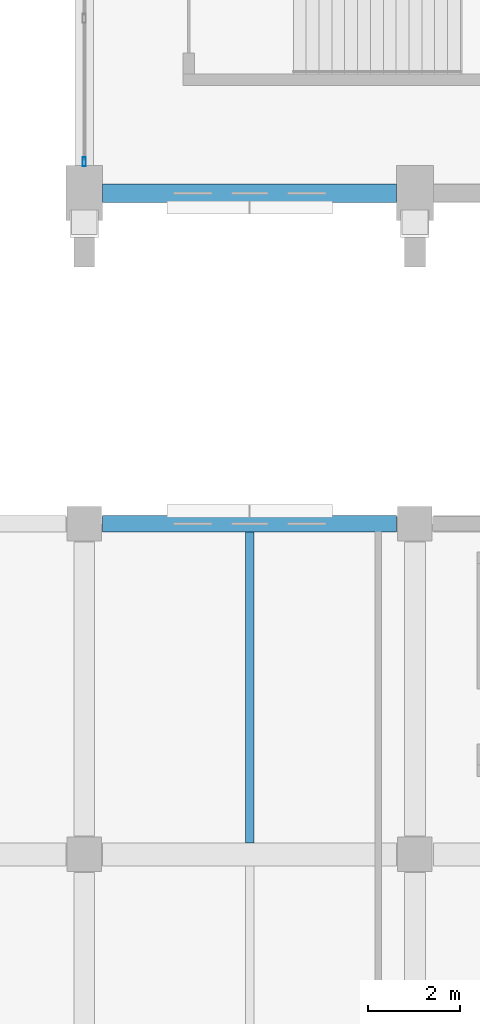
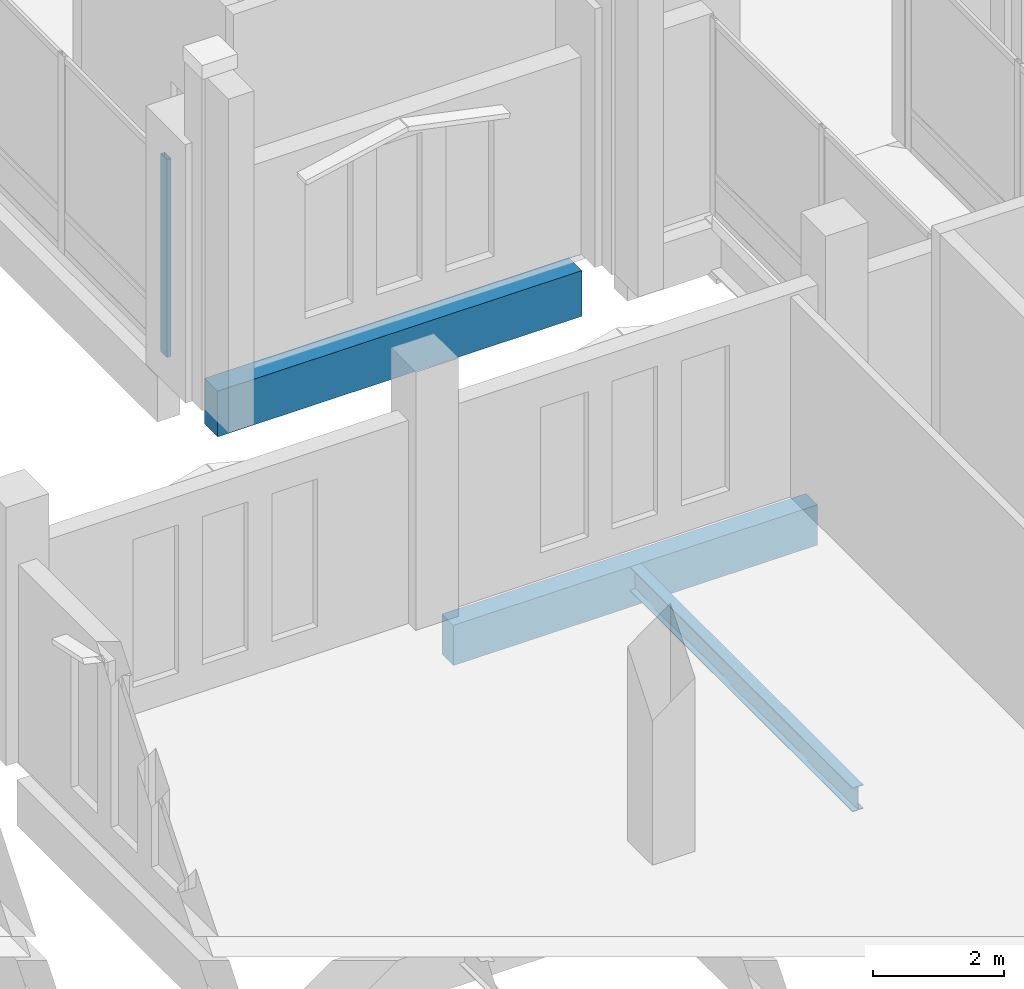
# One storey, part 63 of 193: 3 beams, 1 member, 1 element without a shape of its own.
"""IFC4 building model written with IfcOpenShell, lengths in metres."""

import ifcopenshell
import ifcopenshell.guid

model = None  # the IFC model being written
_history = None  # IfcOwnerHistory: only IFC2X3 demands one
_inside = {}  # id of a spatial element -> (the spatial element, [elements in it])
_under = {}  # id of a project, library or spatial element -> (it, [spatial elements below it])
_declared = {}  # id of a project -> (the project, [libraries it declares])
_typed = {}  # id of a type object -> (the type object, [elements of that type])
_made_of = {}  # id of a material, layer set ... -> (it, [elements and type objects made of it])


def new_model(schema):
    """Start an empty IFC model of exactly this schema.

    Asked for "IFC4X3", IfcOpenShell would pick the latest addendum, in which some entities
    have other attributes; the version numbers below select the first issue.
    IFC2X3 requires an IfcOwnerHistory on every rooted entity: one is made here for all.
    """
    global model, _history
    if schema == "IFC4X3":
        model = ifcopenshell.file(schema_version=(4, 3, 0, 0))
    else:
        model = ifcopenshell.file(schema=schema)
    _inside.clear()
    _under.clear()
    _declared.clear()
    _typed.clear()
    _made_of.clear()
    _history = None
    if model.schema == "IFC2X3":
        org = make("IfcOrganization", Name="unknown")
        user = make(
            "IfcPersonAndOrganization",
            ThePerson=make("IfcPerson", FamilyName="unknown"),
            TheOrganization=org,
        )
        app = make(
            "IfcApplication",
            ApplicationDeveloper=org,
            Version="unknown",
            ApplicationFullName="unknown",
            ApplicationIdentifier="unknown",
        )
        _history = make(
            "IfcOwnerHistory",
            OwningUser=user,
            OwningApplication=app,
            ChangeAction="ADDED",
            CreationDate=0,
        )
    return model


def make(cls, **values):
    """One entity of the class cls with the attributes given. An attribute that is None is left unset."""
    return model.create_entity(
        cls, **{name: value for name, value in values.items() if value is not None}
    )


def rooted(cls, **values):
    """An entity with a GlobalId (a new one), such as an element, a storey or a relation."""
    return make(cls, GlobalId=ifcopenshell.guid.new(), OwnerHistory=_history, **values)


def si_unit(unit_type, name, prefix=None):
    """IfcSIUnit, for example si_unit("LENGTHUNIT", "METRE", prefix="MILLI")."""
    return make("IfcSIUnit", UnitType=unit_type, Prefix=prefix, Name=name)


def assignment(units):
    """IfcUnitAssignment: the units of a project."""
    return None if units is None else make("IfcUnitAssignment", Units=units)


def point(xyz):
    """IfcCartesianPoint."""
    return None if xyz is None else make("IfcCartesianPoint", Coordinates=xyz)


def direction(xyz):
    """IfcDirection."""
    return None if xyz is None else make("IfcDirection", DirectionRatios=xyz)


def frame(location, z_axis=None, x_axis=None):
    """IfcAxis2Placement3D, a coordinate frame: its origin and axes. An axis left out is left unset."""
    return make(
        "IfcAxis2Placement3D",
        Location=point(location),
        Axis=direction(z_axis),
        RefDirection=direction(x_axis),
    )


def frame_2d(location, x_axis=None):
    """IfcAxis2Placement2D, a coordinate frame in the plane: its origin and x axis."""
    return make(
        "IfcAxis2Placement2D", Location=point(location), RefDirection=direction(x_axis)
    )


def origin():
    """The frame at (0, 0, 0) with its axes left unset."""
    return frame((0.0, 0.0, 0.0))


def origin_2d():
    """The frame at (0, 0) in the plane with its x axis left unset."""
    return frame_2d((0.0, 0.0))


def place(relative_to, where):
    """IfcLocalPlacement: puts the frame where relative to a parent placement (None: the world)."""
    return make(
        "IfcLocalPlacement", PlacementRelTo=relative_to, RelativePlacement=where
    )


def context(
    kind, dimensions, precision=None, world=None, true_north=None, identifier=None
):
    """IfcGeometricRepresentationContext, for example the 3D "Model" context."""
    return make(
        "IfcGeometricRepresentationContext",
        ContextIdentifier=identifier,
        ContextType=kind,
        CoordinateSpaceDimension=dimensions,
        Precision=precision,
        WorldCoordinateSystem=world,
        TrueNorth=true_north,
    )


def subcontext(parent, identifier, kind, view, scale=None):
    """IfcGeometricRepresentationSubContext, for example "Body" below "Model"."""
    return make(
        "IfcGeometricRepresentationSubContext",
        ContextIdentifier=identifier,
        ContextType=kind,
        ParentContext=parent,
        TargetScale=scale,
        TargetView=view,
    )


def project(units=None, contexts=None):
    """IfcProject with its units and contexts."""
    return rooted(
        "IfcProject",
        Name="project",
        RepresentationContexts=contexts,
        UnitsInContext=assignment(units),
    )


def spatial(cls, under=None, at=None, **own):
    """A site, building, storey or space (cls), placed at a placement, below another one or the project."""
    s = rooted(cls, ObjectPlacement=at, **own)
    if under is not None:
        _under.setdefault(under.id(), (under, []))[1].append(s)
    return s


def profile(cls, at=None, kind="AREA", **sizes):
    """A parametric profile (cls). Its sizes go by their IFC names, for example OverallWidth=200.0."""
    return make(cls, ProfileType=kind, Position=at, **sizes)


def rectangle(**sizes):
    """IfcRectangleProfileDef."""
    return profile("IfcRectangleProfileDef", **sizes)


def hollow_rectangle(**sizes):
    """IfcRectangleHollowProfileDef."""
    return profile("IfcRectangleHollowProfileDef", **sizes)


def i_section(**sizes):
    """IfcIShapeProfileDef."""
    return profile("IfcIShapeProfileDef", **sizes)


def extrude(swept, where, along, depth):
    """IfcExtrudedAreaSolid: the profile swept, set in the frame where, extruded along a direction by depth."""
    return make(
        "IfcExtrudedAreaSolid",
        SweptArea=swept,
        Position=where,
        ExtrudedDirection=direction(along),
        Depth=depth,
    )


def shape(context_of_items, identifier, shape_type, items):
    """IfcShapeRepresentation: the items that make up one representation, for example the "Body"."""
    return make(
        "IfcShapeRepresentation",
        ContextOfItems=context_of_items,
        RepresentationIdentifier=identifier,
        RepresentationType=shape_type,
        Items=items,
    )


def material(Name=None, Category=None):
    """IfcMaterial."""
    return make("IfcMaterial", Name=Name, Category=Category)


def material_profile(
    of_material, cross_section, Name=None, Category=None, Priority=None
):
    """IfcMaterialProfile: a cross section and its material."""
    return make(
        "IfcMaterialProfile",
        Name=Name,
        Material=of_material,
        Profile=cross_section,
        Priority=Priority,
        Category=Category,
    )


def profile_set(profiles, Name=None, composite=None):
    """IfcMaterialProfileSet."""
    return make(
        "IfcMaterialProfileSet",
        Name=Name,
        MaterialProfiles=profiles,
        CompositeProfile=composite,
    )


def made_of(thing, what):
    """Note that an element or type object is made of a material, layer set ...; save() writes the relation."""
    if what is not None:
        _made_of.setdefault(what.id(), (what, []))[1].append(thing)
    return thing


def type_object(cls, material=None, **own):
    """A type object (cls), such as IfcWallType, which elements share."""
    return made_of(rooted(cls, **own), material)


def element(
    cls,
    number,
    at=None,
    inside=None,
    cuts=None,
    type_object=None,
    material=None,
    context=None,
    identifier="Body",
    shape_type=None,
    held_by="IfcProductDefinitionShape",
    body=None,
    shapes=None,
    **own,
):
    """One element of the class cls, such as IfcWall. Its Tag is "e" and its number.

    at: its placement. inside: the storey or other place that contains it. cuts: it is an
    opening in that element (IfcRelVoidsElement). A single representation is given by context,
    identifier, shape_type and body (its items); several are given by shapes. held_by: the class
    of the entity that holds the representations. save() writes the other relations.
    """
    e = rooted(cls, Tag="e%d" % number, ObjectPlacement=at, **own)
    if body is not None:
        shapes = [shape(context, identifier, shape_type, body)]
    if shapes is not None:
        e.Representation = make(held_by, Representations=shapes)
    if inside is not None:
        _inside.setdefault(inside.id(), (inside, []))[1].append(e)
    if cuts is not None:
        rooted(
            "IfcRelVoidsElement", RelatingBuildingElement=cuts, RelatedOpeningElement=e
        )
    if type_object is not None:
        _typed.setdefault(type_object.id(), (type_object, []))[1].append(e)
    return made_of(e, material)


def aggregate(whole, parts):
    """IfcRelAggregates: a whole, such as a stair, and the parts it consists of."""
    return rooted("IfcRelAggregates", RelatingObject=whole, RelatedObjects=parts)


def save(model, path):
    """Write the relations noted so far, then the file.

    IfcRelAggregates (storeys below a building ...), IfcRelContainedInSpatialStructure (elements
    in a storey), IfcRelDefinesByType, IfcRelAssociatesMaterial and IfcRelDeclares: one each for
    every whole, place, type object, material and project.
    """
    for whole, parts in _under.values():
        aggregate(whole, parts)
    for where, things in _inside.values():
        rooted(
            "IfcRelContainedInSpatialStructure",
            RelatedElements=things,
            RelatingStructure=where,
        )
    for kind, things in _typed.values():
        rooted("IfcRelDefinesByType", RelatedObjects=things, RelatingType=kind)
    for what, things in _made_of.values():
        rooted("IfcRelAssociatesMaterial", RelatedObjects=things, RelatingMaterial=what)
    for by, libraries in _declared.values():
        rooted("IfcRelDeclares", RelatingContext=by, RelatedDefinitions=libraries)
    model.write(path)


model = new_model("IFC4")

# Units and contexts
model_context = context("Model", 3, precision=1e-05, world=origin(), true_north=direction((0.0, 1.0)))
body_context = subcontext(model_context, "Body", "Model", "MODEL_VIEW")
ifc_project = project(units=[si_unit("LENGTHUNIT", "METRE"), si_unit("AREAUNIT", "SQUARE_METRE"), si_unit("VOLUMEUNIT", "CUBIC_METRE"), si_unit("PLANEANGLEUNIT", "RADIAN"), si_unit("MASSUNIT", "GRAM", prefix="KILO")], contexts=[model_context])

# Site, building, storey
site_placement = place(None, origin())
site = spatial("IfcSite", under=ifc_project, at=site_placement, CompositionType="ELEMENT")
building_placement = place(site_placement, origin())
building = spatial("IfcBuilding", under=site, at=building_placement, Name="Cendralis Lancet Convention Centre", CompositionType="ELEMENT")
storey_placement = place(building_placement, frame((0.0, 0.0, 10.199951171875)))
storey = spatial("IfcBuildingStorey", under=building, at=storey_placement, Name="L02", CompositionType="ELEMENT", Elevation=10.199951171875)

# Curtain wall, member
ifc_material_1 = material(Name="Anodised bronze architectural aluminium", Category="aluminium")
curtain_wall_type = type_object("IfcCurtainWallType", Name="ARC-CW-PL02", PredefinedType="USERDEFINED", material=ifc_material_1)
curtain_wall_placement = place(storey_placement, origin())
curtain_wall = element("IfcCurtainWall", 1, at=curtain_wall_placement, inside=storey, type_object=curtain_wall_type, Name="L02 Curtain Wall CW-PL2 #126", ObjectType="CURTAIN WALL", PredefinedType="USERDEFINED")
ifc_material_profile_1 = material_profile(ifc_material_1, hollow_rectangle(XDim=0.070068359375, YDim=0.199951171875, WallThickness=0.0048828125, at=origin_2d()), Name="AL-MULL 70x200x5.0")
ifc_profile_set_1 = profile_set([ifc_material_profile_1], Name="Anodised bronze architectural aluminium")
member_type = type_object("IfcMemberType", Name="ARC-CW-ML02", PredefinedType="MULLION", material=ifc_profile_set_1)
member_placement = place(storey_placement, frame((139.199951171875, 43.885009765625, 0.0), z_axis=(0.0, 0.0, 1.0), x_axis=(1.0, 0.0, 0.0)))
member = element("IfcMember", 2, at=member_placement, type_object=member_type, Name="Mullion CW2-CW-PL2-L02-126-M0", PredefinedType="MULLION", context=body_context, shape_type="SweptSolid", body=[
    extrude(hollow_rectangle(XDim=0.070068359375, YDim=0.199951171875, WallThickness=0.0048828125, at=origin_2d()), origin(), (0.0, 0.0, 1.0), 3.675048828125),
])
aggregate(curtain_wall, [member])

# Beams
ifc_material_2 = material(Name="Steel S355", Category="steel")
ifc_material_profile_2 = material_profile(ifc_material_2, i_section(OverallWidth=0.18994140625, OverallDepth=0.449951171875, WebThickness=0.009521484375, FlangeThickness=0.0146484375, FilletRadius=0.02099609375, at=origin_2d()), Name="IPE 450")
ifc_profile_set_2 = profile_set([ifc_material_profile_2], Name="Steel S355")
beam_type_1 = type_object("IfcBeamType", Name="STR-JS-BJ07", PredefinedType="JOIST", material=ifc_profile_set_2)
beam_1_placement = place(storey_placement, frame((142.800048828125, 29.050048828125, -0.52490234375), z_axis=(0.0, 1.0, 0.0), x_axis=(-1.0, 0.0, 0.0)))
element("IfcBeam", 3, at=beam_1_placement, inside=storey, type_object=beam_type_1, Name="L02 Beam BJ07 #0352", PredefinedType="JOIST", context=body_context, shape_type="SweptSolid", body=[
    extrude(i_section(OverallWidth=0.18994140625, OverallDepth=0.449951171875, WebThickness=0.009521484375, FlangeThickness=0.0146484375, FilletRadius=0.02099609375, at=origin_2d()), origin(), (0.0, 0.0, 1.0), 6.77490234375),
])
ifc_material_3 = material(Name="Concrete G40 (C40/50)", Category="concrete")
ifc_material_profile_3 = material_profile(ifc_material_3, rectangle(XDim=0.35009765625, YDim=0.75, at=origin_2d()), Name="RCB 350x750")
ifc_profile_set_3 = profile_set([ifc_material_profile_3], Name="Concrete G40 (C40/50)")
beam_type_2 = type_object("IfcBeamType", Name="STR-SP-SP01", PredefinedType="SPANDREL", material=ifc_profile_set_3)
beam_2_placement = place(storey_placement, frame((139.60009765625, 36.0, -0.675048828125), z_axis=(1.0, 0.0, 0.0), x_axis=(0.0, 1.0, 0.0)))
element("IfcBeam", 4, at=beam_2_placement, inside=storey, type_object=beam_type_2, Name="L02 Beam SP01 #0294", PredefinedType="SPANDREL", context=body_context, shape_type="SweptSolid", body=[
    extrude(rectangle(XDim=0.35009765625, YDim=0.75, at=origin_2d()), origin(), (0.0, 0.0, 1.0), 6.39990234375),
])
ifc_material_profile_4 = material_profile(ifc_material_3, rectangle(XDim=0.39990234375, YDim=0.85009765625, at=origin_2d()), Name="RCB 400x850")
ifc_profile_set_4 = profile_set([ifc_material_profile_4], Name="Concrete G40 (C40/50)")
beam_type_3 = type_object("IfcBeamType", Name="STR-SP-SP02", PredefinedType="SPANDREL", material=ifc_profile_set_4)
beam_3_placement = place(storey_placement, frame((139.60009765625, 43.199951171875, -0.724853515625), z_axis=(1.0, 0.0, 0.0), x_axis=(0.0, 1.0, 0.0)))
element("IfcBeam", 5, at=beam_3_placement, inside=storey, type_object=beam_type_3, Name="L02 Beam SP02 #1449", PredefinedType="SPANDREL", context=body_context, shape_type="SweptSolid", body=[
    extrude(rectangle(XDim=0.39990234375, YDim=0.85009765625, at=origin_2d()), origin(), (0.0, 0.0, 1.0), 6.39990234375),
])

save(model, "model.ifc")
